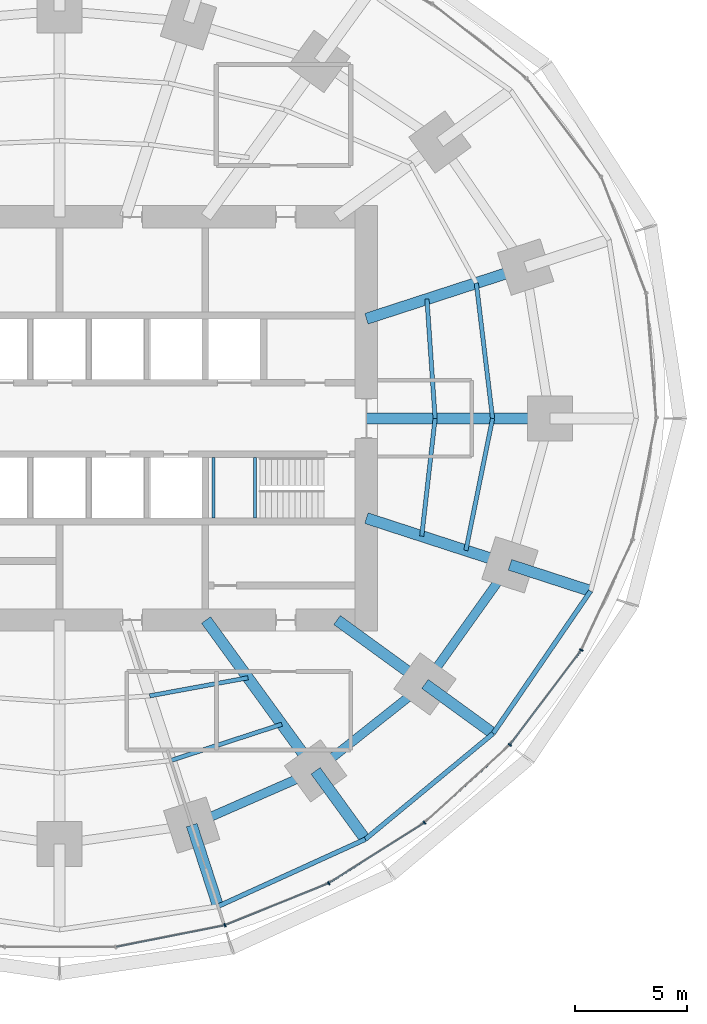
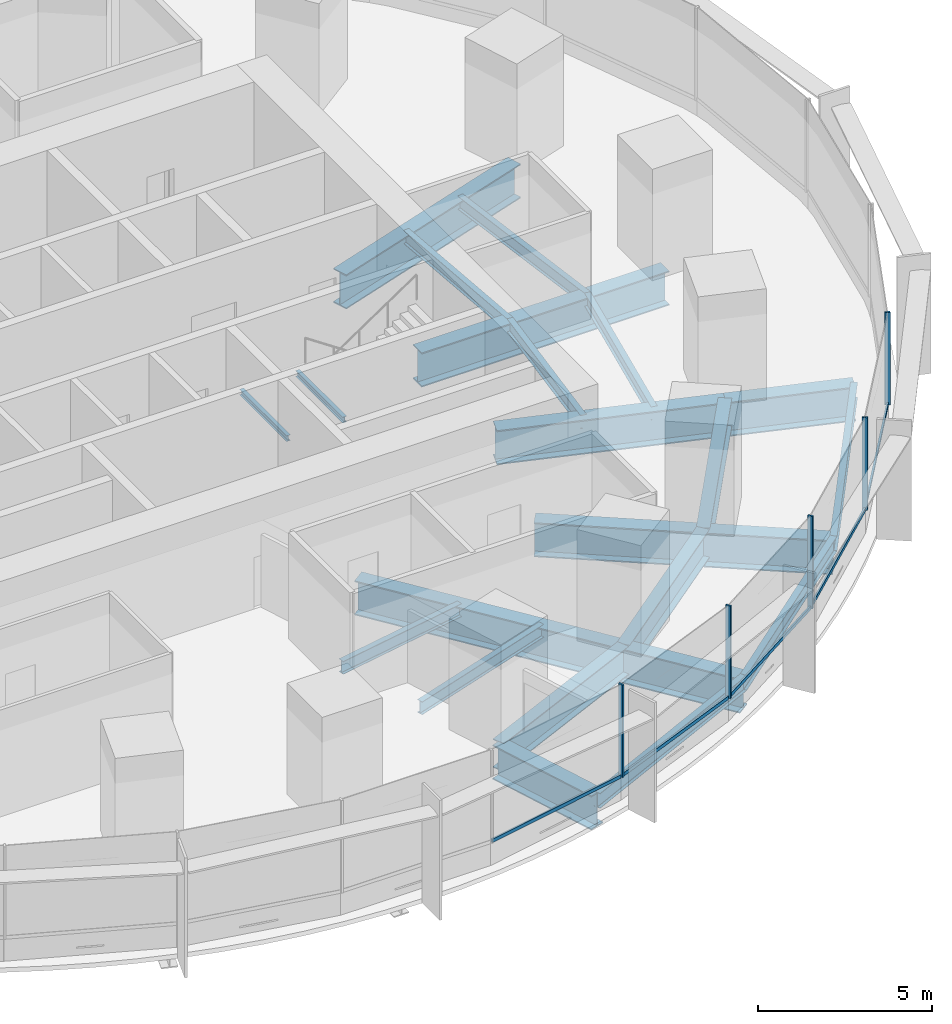
# One storey, part 5 of 15: 23 beams, 10 members, 2 elements without a shape of their own.
"""IFC4 building model written with IfcOpenShell, lengths in metres."""

from ifc_helpers import new_model, si_unit, direction, frame, origin, origin_2d, place, context, subcontext, project, spatial, rectangle, i_section, extrude, material, material_profile, profile_set, type_object, element, aggregate, save


model = new_model("IFC4")

# Units and contexts
model_context = context("Model", 3, precision=1e-05, world=origin(), true_north=direction((0.0, 1.0)))
body_context = subcontext(model_context, "Body", "Model", "MODEL_VIEW")
ifc_project = project(units=[si_unit("LENGTHUNIT", "METRE"), si_unit("AREAUNIT", "SQUARE_METRE"), si_unit("VOLUMEUNIT", "CUBIC_METRE"), si_unit("PLANEANGLEUNIT", "RADIAN"), si_unit("MASSUNIT", "GRAM", prefix="KILO")], contexts=[model_context])

# Site, building, storey
site_placement = place(None, origin())
site = spatial("IfcSite", under=ifc_project, at=site_placement, CompositionType="ELEMENT")
building_placement = place(site_placement, origin())
building = spatial("IfcBuilding", under=site, at=building_placement, Name="Marramba Exchange Tower", CompositionType="ELEMENT")
storey_placement = place(building_placement, frame((0.0, 0.0, 28.0)))
storey = spatial("IfcBuildingStorey", under=building, at=storey_placement, Name="L06", CompositionType="ELEMENT", Elevation=28.0)

# Beams
ifc_material_1 = material(Name="Steel AS/NZS 3679.2 grade 300", Category="steel")
ifc_material_profile_1 = material_profile(ifc_material_1, i_section(OverallWidth=0.5, OverallDepth=1.199951171875, WebThickness=0.01611328125, FlangeThickness=0.0400390625, at=origin_2d()), Name="1200WB455")
ifc_profile_set_1 = profile_set([ifc_material_profile_1], Name="Steel AS/NZS 3679.2 grade 300")
beam_type_1 = type_object("IfcBeamType", Name="Cantilever girder 1200WB455", PredefinedType="BEAM", material=ifc_profile_set_1)
beam_1_placement = place(storey_placement, frame((5.899658203125, -18.156982421875, -0.760009765625), z_axis=(0.309009272901, -0.951059025119, 0.0), x_axis=(0.951059025119, 0.309009272901, 0.0)))
element("IfcBeam", 1, at=beam_1_placement, inside=storey, type_object=beam_type_1, Name="Cantilever girder L06 TC17", PredefinedType="BEAM", context=body_context, shape_type="SweptSolid", body=[
    extrude(i_section(OverallWidth=0.5, OverallDepth=1.199951171875, WebThickness=0.01611328125, FlangeThickness=0.0400390625, at=origin_2d()), origin(), (0.0, 0.0, 1.0), 3.809814453125),
])
beam_2_placement = place(storey_placement, frame((11.430419921875, -15.732666015625, -0.760009765625), z_axis=(0.587787232741, -0.809015555491, 0.0), x_axis=(0.809015555491, 0.587787232741, 0.0)))
element("IfcBeam", 2, at=beam_2_placement, inside=storey, type_object=beam_type_1, Name="Cantilever girder L06 TC18", PredefinedType="BEAM", context=body_context, shape_type="SweptSolid", body=[
    extrude(i_section(OverallWidth=0.5, OverallDepth=1.199951171875, WebThickness=0.01611328125, FlangeThickness=0.0400390625, at=origin_2d()), origin(), (0.0, 0.0, 1.0), 3.7763671875),
])
beam_3_placement = place(storey_placement, frame((16.3154296875, -11.853759765625, -0.760009765625), z_axis=(0.809008346081, -0.587797155463, 0.0), x_axis=(0.587797155463, 0.809008346081, 0.0)))
element("IfcBeam", 3, at=beam_3_placement, inside=storey, type_object=beam_type_1, Name="Cantilever girder L06 TC19", PredefinedType="BEAM", context=body_context, shape_type="SweptSolid", body=[
    extrude(i_section(OverallWidth=0.5, OverallDepth=1.199951171875, WebThickness=0.01611328125, FlangeThickness=0.0400390625, at=origin_2d()), origin(), (0.0, 0.0, 1.0), 3.76025390625),
])
beam_4_placement = place(storey_placement, frame((20.109375, -6.533935546875, -0.760009765625), z_axis=(0.951048759501, -0.309040866314, 0.0), x_axis=(0.309040866314, 0.951048759501, 0.0)))
element("IfcBeam", 4, at=beam_4_placement, inside=storey, type_object=beam_type_1, Name="Cantilever girder L06 TC20", PredefinedType="BEAM", context=body_context, shape_type="SweptSolid", body=[
    extrude(i_section(OverallWidth=0.5, OverallDepth=1.199951171875, WebThickness=0.01611328125, FlangeThickness=0.0400390625, at=origin_2d()), origin(), (0.0, 0.0, 1.0), 3.78564453125),
])
ifc_material_2 = material(Name="Steel AS/NZS 3679.1 grade 300", Category="steel")
ifc_material_profile_2 = material_profile(ifc_material_2, i_section(OverallWidth=0.18994140625, OverallDepth=0.4541015625, WebThickness=0.008544921875, FlangeThickness=0.0126953125, FilletRadius=0.011474609375, at=origin_2d()), Name="460UB67.1")
ifc_profile_set_2 = profile_set([ifc_material_profile_2], Name="Steel AS/NZS 3679.1 grade 300")
beam_type_2 = type_object("IfcBeamType", Name="Floor joist 460UB67.1", PredefinedType="JOIST", material=ifc_profile_set_2)
beam_5_placement = place(storey_placement, frame((16.7666015625, 0.0, -0.386962890625), z_axis=(-0.068096259546, 0.99767875563, 0.0), x_axis=(-0.99767875563, -0.068096259546, 0.0)))
element("IfcBeam", 5, at=beam_5_placement, inside=storey, type_object=beam_type_2, Name="Joist L06 bay 01 row 1", PredefinedType="JOIST", context=body_context, shape_type="SweptSolid", body=[
    extrude(i_section(OverallWidth=0.18994140625, OverallDepth=0.4541015625, WebThickness=0.008544921875, FlangeThickness=0.0126953125, FilletRadius=0.011474609375, at=origin_2d()), origin(), (0.0, 0.0, 1.0), 5.342041015625),
])
beam_6_placement = place(storey_placement, frame((19.333251953125, 0.0, -0.386962890625), z_axis=(-0.119523078538, 0.992831422597, 0.0), x_axis=(-0.992831422597, -0.119523078538, 0.0)))
element("IfcBeam", 6, at=beam_6_placement, inside=storey, type_object=beam_type_2, Name="Joist L06 bay 01 row 2", PredefinedType="JOIST", context=body_context, shape_type="SweptSolid", body=[
    extrude(i_section(OverallWidth=0.18994140625, OverallDepth=0.4541015625, WebThickness=0.008544921875, FlangeThickness=0.0126953125, FilletRadius=0.011474609375, at=origin_2d()), origin(), (0.0, 0.0, 1.0), 6.089111328125),
])
beam_7_placement = place(storey_placement, frame((4.0244140625, -12.3857421875, -0.386962890625), z_axis=(0.983455754421, 0.181148500119, 0.0), x_axis=(-0.181148500119, 0.983455754421, 0.0)))
element("IfcBeam", 7, at=beam_7_placement, inside=storey, type_object=beam_type_2, Name="Joist L06 bay 17 row 1", PredefinedType="JOIST", context=body_context, shape_type="SweptSolid", body=[
    extrude(i_section(OverallWidth=0.18994140625, OverallDepth=0.4541015625, WebThickness=0.008544921875, FlangeThickness=0.0126953125, FilletRadius=0.011474609375, at=origin_2d()), origin(), (0.0, 0.0, 1.0), 4.4609375),
])
beam_8_placement = place(storey_placement, frame((4.9619140625, -15.271484375, -0.386962890625), z_axis=(0.950764024931, 0.309915744834, 0.0), x_axis=(-0.309915744834, 0.950764024931, 0.0)))
element("IfcBeam", 8, at=beam_8_placement, inside=storey, type_object=beam_type_2, Name="Joist L06 bay 17 row 2", PredefinedType="JOIST", context=body_context, shape_type="SweptSolid", body=[
    extrude(i_section(OverallWidth=0.18994140625, OverallDepth=0.4541015625, WebThickness=0.008544921875, FlangeThickness=0.0126953125, FilletRadius=0.011474609375, at=origin_2d()), origin(), (0.0, 0.0, 1.0), 5.2158203125),
])
beam_9_placement = place(storey_placement, frame((16.169677734375, -5.25390625, -0.386962890625), z_axis=(0.112888968594, 0.993607609054, 0.0), x_axis=(-0.993607609054, 0.112888968594, 0.0)))
element("IfcBeam", 9, at=beam_9_placement, inside=storey, type_object=beam_type_2, Name="Joist L06 bay 20 row 1", PredefinedType="JOIST", context=body_context, shape_type="SweptSolid", body=[
    extrude(i_section(OverallWidth=0.18994140625, OverallDepth=0.4541015625, WebThickness=0.008544921875, FlangeThickness=0.0126953125, FilletRadius=0.011474609375, at=origin_2d()), origin(), (0.0, 0.0, 1.0), 5.28759765625),
])
beam_10_placement = place(storey_placement, frame((18.1396484375, -5.893798828125, -0.386962890625), z_axis=(0.198489047047, 0.980103105904, 0.0), x_axis=(-0.980103105904, 0.198489047047, 0.0)))
element("IfcBeam", 10, at=beam_10_placement, inside=storey, type_object=beam_type_2, Name="Joist L06 bay 20 row 2", PredefinedType="JOIST", context=body_context, shape_type="SweptSolid", body=[
    extrude(i_section(OverallWidth=0.18994140625, OverallDepth=0.4541015625, WebThickness=0.008544921875, FlangeThickness=0.0126953125, FilletRadius=0.011474609375, at=origin_2d()), origin(), (0.0, 0.0, 1.0), 6.013427734375),
])
ifc_material_profile_3 = material_profile(ifc_material_1, i_section(OverallWidth=0.5, OverallDepth=1.199951171875, WebThickness=0.01611328125, FlangeThickness=0.0400390625, at=origin_2d()), Name="1200WB455")
ifc_profile_set_3 = profile_set([ifc_material_profile_3], Name="Steel AS/NZS 3679.2 grade 300")
beam_type_3 = type_object("IfcBeamType", Name="Radial girder 1200WB455", PredefinedType="BEAM", material=ifc_profile_set_3)
beam_11_placement = place(storey_placement, frame((13.699951171875, 0.0, -0.760009765625), z_axis=(1.0, 0.0, 0.0), x_axis=(0.0, 1.0, 0.0)))
element("IfcBeam", 11, at=beam_11_placement, inside=storey, type_object=beam_type_3, Name="Radial girder L06 TC01", PredefinedType="BEAM", context=body_context, shape_type="SweptSolid", body=[
    extrude(i_section(OverallWidth=0.5, OverallDepth=1.199951171875, WebThickness=0.01611328125, FlangeThickness=0.0400390625, at=origin_2d()), origin(), (0.0, 0.0, 1.0), 8.199951171875),
])
beam_12_placement = place(storey_placement, frame((13.699951171875, 4.451416015625, -0.760009765625), z_axis=(0.951059990189, 0.309006302624, 0.0), x_axis=(-0.309006302624, 0.951059990189, 0.0)))
element("IfcBeam", 12, at=beam_12_placement, inside=storey, type_object=beam_type_3, Name="Radial girder L06 TC02", PredefinedType="BEAM", context=body_context, shape_type="SweptSolid", body=[
    extrude(i_section(OverallWidth=0.5, OverallDepth=1.199951171875, WebThickness=0.01611328125, FlangeThickness=0.0400390625, at=origin_2d()), origin(), (0.0, 0.0, 1.0), 7.47412109375),
])
beam_13_placement = place(storey_placement, frame((6.538818359375, -9.0, -0.760009765625), z_axis=(0.587787877172, -0.809015087282, 0.0), x_axis=(0.809015087282, 0.587787877172, 0.0)))
element("IfcBeam", 13, at=beam_13_placement, inside=storey, type_object=beam_type_3, Name="Radial girder L06 TC18", PredefinedType="BEAM", context=body_context, shape_type="SweptSolid", body=[
    extrude(i_section(OverallWidth=0.5, OverallDepth=1.199951171875, WebThickness=0.01611328125, FlangeThickness=0.0400390625, at=origin_2d()), origin(), (0.0, 0.0, 1.0), 8.322021484375),
])
beam_14_placement = place(storey_placement, frame((12.387451171875, -9.0, -0.760009765625), z_axis=(0.809025189606, -0.58777397236, 0.0), x_axis=(0.58777397236, 0.809025189606, 0.0)))
element("IfcBeam", 14, at=beam_14_placement, inside=storey, type_object=beam_type_3, Name="Radial girder L06 TC19", PredefinedType="BEAM", context=body_context, shape_type="SweptSolid", body=[
    extrude(i_section(OverallWidth=0.5, OverallDepth=1.199951171875, WebThickness=0.01611328125, FlangeThickness=0.0400390625, at=origin_2d()), origin(), (0.0, 0.0, 1.0), 4.855224609375),
])
beam_15_placement = place(storey_placement, frame((13.699951171875, -4.451416015625, -0.760009765625), z_axis=(0.951057759669, -0.309013167637, 0.0), x_axis=(0.309013167637, 0.951057759669, 0.0)))
element("IfcBeam", 15, at=beam_15_placement, inside=storey, type_object=beam_type_3, Name="Radial girder L06 TC20", PredefinedType="BEAM", context=body_context, shape_type="SweptSolid", body=[
    extrude(i_section(OverallWidth=0.5, OverallDepth=1.199951171875, WebThickness=0.01611328125, FlangeThickness=0.0400390625, at=origin_2d()), origin(), (0.0, 0.0, 1.0), 6.7392578125),
])
ifc_material_profile_4 = material_profile(ifc_material_1, i_section(OverallWidth=0.39990234375, OverallDepth=1.0, WebThickness=0.01611328125, FlangeThickness=0.031982421875, at=origin_2d()), Name="1000WB322")
ifc_profile_set_4 = profile_set([ifc_material_profile_4], Name="Steel AS/NZS 3679.2 grade 300")
beam_type_4 = type_object("IfcBeamType", Name="Ring beam 1000WB322", PredefinedType="SPANDREL", material=ifc_profile_set_4)
beam_16_placement = place(storey_placement, frame((5.899658203125, -18.156982421875, -0.659912109375), z_axis=(0.915876892158, 0.4014592363, 0.0), x_axis=(-0.4014592363, 0.915876892158, 0.0)))
element("IfcBeam", 16, at=beam_16_placement, inside=storey, type_object=beam_type_4, Name="Ring beam L06 TC17-TC18", PredefinedType="SPANDREL", context=body_context, shape_type="SweptSolid", body=[
    extrude(i_section(OverallWidth=0.39990234375, OverallDepth=1.0, WebThickness=0.01611328125, FlangeThickness=0.031982421875, at=origin_2d()), origin(), (0.0, 0.0, 1.0), 6.038818359375),
])
beam_17_placement = place(storey_placement, frame((11.430419921875, -15.732666015625, -0.659912109375), z_axis=(0.783139438128, 0.621846138887, 0.0), x_axis=(-0.621846138887, 0.783139438128, 0.0)))
element("IfcBeam", 17, at=beam_17_placement, inside=storey, type_object=beam_type_4, Name="Ring beam L06 TC18-TC19", PredefinedType="SPANDREL", context=body_context, shape_type="SweptSolid", body=[
    extrude(i_section(OverallWidth=0.39990234375, OverallDepth=1.0, WebThickness=0.01611328125, FlangeThickness=0.031982421875, at=origin_2d()), origin(), (0.0, 0.0, 1.0), 6.23779296875),
])
beam_18_placement = place(storey_placement, frame((16.3154296875, -11.853759765625, -0.659912109375), z_axis=(0.580637181111, 0.814162430914, 0.0), x_axis=(-0.814162430914, 0.580637181111, 0.0)))
element("IfcBeam", 18, at=beam_18_placement, inside=storey, type_object=beam_type_4, Name="Ring beam L06 TC19-TC20", PredefinedType="SPANDREL", context=body_context, shape_type="SweptSolid", body=[
    extrude(i_section(OverallWidth=0.39990234375, OverallDepth=1.0, WebThickness=0.01611328125, FlangeThickness=0.031982421875, at=origin_2d()), origin(), (0.0, 0.0, 1.0), 6.5341796875),
])
ifc_material_profile_5 = material_profile(ifc_material_2, i_section(OverallWidth=0.208984375, OverallDepth=0.528076171875, WebThickness=0.009521484375, FlangeThickness=0.01318359375, FilletRadius=0.013916015625, at=origin_2d()), Name="530UB82.0")
ifc_profile_set_5 = profile_set([ifc_material_profile_5], Name="Steel AS/NZS 3679.1 grade 300")
beam_type_5 = type_object("IfcBeamType", Name="Slab edge beam 530UB82.0", PredefinedType="SPANDREL", material=ifc_profile_set_5)
beam_19_placement = place(storey_placement, frame((7.076904296875, -21.7802734375, -0.424072265625), z_axis=(0.910126690081, 0.414330071324, 0.0), x_axis=(-0.414330071324, 0.910126690081, 0.0)))
element("IfcBeam", 19, at=beam_19_placement, inside=storey, type_object=beam_type_5, Name="Slab edge beam L06 TC17-TC18", PredefinedType="SPANDREL", context=body_context, shape_type="SweptSolid", body=[
    extrude(i_section(OverallWidth=0.208984375, OverallDepth=0.528076171875, WebThickness=0.009521484375, FlangeThickness=0.01318359375, FilletRadius=0.013916015625, at=origin_2d()), origin(), (0.0, 0.0, 1.0), 7.222412109375),
])
beam_20_placement = place(storey_placement, frame((13.650146484375, -18.787841796875, -0.424072265625), z_axis=(0.770353575372, 0.637616945283, 0.0), x_axis=(-0.637616945283, 0.770353575372, 0.0)))
element("IfcBeam", 20, at=beam_20_placement, inside=storey, type_object=beam_type_5, Name="Slab edge beam L06 TC18-TC19", PredefinedType="SPANDREL", context=body_context, shape_type="SweptSolid", body=[
    extrude(i_section(OverallWidth=0.208984375, OverallDepth=0.528076171875, WebThickness=0.009521484375, FlangeThickness=0.01318359375, FilletRadius=0.013916015625, at=origin_2d()), origin(), (0.0, 0.0, 1.0), 7.40869140625),
])
beam_21_placement = place(storey_placement, frame((19.357421875, -14.06396484375, -0.424072265625), z_axis=(0.564740697285, 0.82526840775, 0.0), x_axis=(-0.82526840775, 0.564740697285, 0.0)))
element("IfcBeam", 21, at=beam_21_placement, inside=storey, type_object=beam_type_5, Name="Slab edge beam L06 TC19-TC20", PredefinedType="SPANDREL", context=body_context, shape_type="SweptSolid", body=[
    extrude(i_section(OverallWidth=0.208984375, OverallDepth=0.528076171875, WebThickness=0.009521484375, FlangeThickness=0.01318359375, FilletRadius=0.013916015625, at=origin_2d()), origin(), (0.0, 0.0, 1.0), 7.706787109375),
])
ifc_material_profile_6 = material_profile(ifc_material_2, i_section(OverallWidth=0.133056640625, OverallDepth=0.202880859375, WebThickness=0.005859375, FlangeThickness=0.0078125, FilletRadius=0.0087890625, at=origin_2d()), Name="200UB25.4")
ifc_profile_set_6 = profile_set([ifc_material_profile_6], Name="Steel AS/NZS 3679.1 grade 300")
beam_type_6 = type_object("IfcBeamType", Name="Stair landing beam 200UB25.4", PredefinedType="BEAM", material=ifc_profile_set_6)
for number, where, z_axis, x_axis, name in (
    (22, (6.866455078125, -4.449951171875, 1.798583984375), (0.0, 1.0, 0.0), (-1.0, 0.0, 0.0), "Stair landing beam SLB1 ST2 L06 1"),
    (23, (8.723388671875, -4.449951171875, 1.798583984375), (0.0, 1.0, 0.0), (-1.0, 0.0, 0.0), "Stair landing beam SLB1 ST2 L06 2"),
):
    element("IfcBeam", number, at=place(storey_placement, frame(where, z_axis=z_axis, x_axis=x_axis)), inside=storey, type_object=beam_type_6, Name=name, PredefinedType="BEAM", context=body_context, shape_type="SweptSolid", body=[
        extrude(i_section(OverallWidth=0.133056640625, OverallDepth=0.202880859375, WebThickness=0.005859375, FlangeThickness=0.0078125, FilletRadius=0.0087890625, at=origin_2d()), origin(), (0.0, 0.0, 1.0), 2.699951171875),
    ])

# Curtain wall, member
ifc_material_3 = material(Name="Aluminium framing, bronze anodised", Category="aluminium")
curtain_wall_type = type_object("IfcCurtainWallType", Name="Trading floor ribbon curtain wall", PredefinedType="USERDEFINED", material=ifc_material_3)
curtain_wall_1_placement = place(storey_placement, origin())
curtain_wall_1 = element("IfcCurtainWall", 24, at=curtain_wall_1_placement, inside=storey, type_object=curtain_wall_type, Name="Curtain wall CW3 L06 F21-F25", ObjectType="RIBBON CURTAIN WALL", PredefinedType="USERDEFINED")
ifc_material_4 = material(Name="Aluminium mullion, bronze anodised", Category="aluminium")
ifc_material_profile_7 = material_profile(ifc_material_4, rectangle(XDim=0.159912109375, YDim=0.06005859375, at=origin_2d()), Name="CW3 mullion 60x160")
ifc_profile_set_7 = profile_set([ifc_material_profile_7], Name="Aluminium mullion, bronze anodised")
member_type_1 = type_object("IfcMemberType", Name="Trading floor ribbon curtain wall mullion", PredefinedType="MULLION", material=ifc_profile_set_7)
member_1_placement = place(storey_placement, frame((7.3828125, -22.625, 0.800048828125), z_axis=(0.0, 0.0, 1.0), x_axis=(-0.374218219325, 0.927340673283, 0.0)))
member_1 = element("IfcMember", 25, at=member_1_placement, type_object=member_type_1, Name="CW3 mullion 1", PredefinedType="MULLION", context=body_context, shape_type="SweptSolid", body=[
    extrude(rectangle(XDim=0.159912109375, YDim=0.06005859375, at=origin_2d()), origin(), (0.0, 0.0, 1.0), 3.239990234375),
])

# Curtain wall, members
curtain_wall_2_placement = place(storey_placement, origin())
curtain_wall_2 = element("IfcCurtainWall", 26, at=curtain_wall_2_placement, inside=storey, type_object=curtain_wall_type, Name="Curtain wall CW3 L06 F26-F30", ObjectType="RIBBON CURTAIN WALL", PredefinedType="USERDEFINED")
member_2_placement = place(storey_placement, frame((12.0146484375, -20.75, 0.800048828125), z_axis=(0.0, 0.0, 1.0), x_axis=(-0.533514646612, 0.845790826298, 0.0)))
member_2 = element("IfcMember", 27, at=member_2_placement, type_object=member_type_1, Name="CW3 mullion 1", PredefinedType="MULLION", context=body_context, shape_type="SweptSolid", body=[
    extrude(rectangle(XDim=0.159912109375, YDim=0.06005859375, at=origin_2d()), origin(), (0.0, 0.0, 1.0), 3.239990234375),
])
member_3_placement = place(storey_placement, frame((16.2900390625, -18.047119140625, 0.800048828125), z_axis=(0.0, 0.0, 1.0), x_axis=(-0.673058133441, 0.739589581463, 0.0)))
member_3 = element("IfcMember", 28, at=member_3_placement, type_object=member_type_1, Name="CW3 mullion 1", PredefinedType="MULLION", context=body_context, shape_type="SweptSolid", body=[
    extrude(rectangle(XDim=0.159912109375, YDim=0.06005859375, at=origin_2d()), origin(), (0.0, 0.0, 1.0), 3.239990234375),
])
member_4_placement = place(storey_placement, frame((20.103515625, -14.569091796875, 0.800048828125), z_axis=(0.0, 0.0, 1.0), x_axis=(-0.797710591138, 0.603040473588, 0.0)))
member_4 = element("IfcMember", 29, at=member_4_placement, type_object=member_type_1, Name="CW3 mullion 1", PredefinedType="MULLION", context=body_context, shape_type="SweptSolid", body=[
    extrude(rectangle(XDim=0.159912109375, YDim=0.06005859375, at=origin_2d()), origin(), (0.0, 0.0, 1.0), 3.239990234375),
])
member_5_placement = place(storey_placement, frame((23.2939453125, -10.33837890625, 0.800048828125), z_axis=(0.0, 0.0, 1.0), x_axis=(-0.905906758768, 0.423477206492, 0.0)))
member_5 = element("IfcMember", 30, at=member_5_placement, type_object=member_type_1, Name="CW3 mullion 1", PredefinedType="MULLION", context=body_context, shape_type="SweptSolid", body=[
    extrude(rectangle(XDim=0.159912109375, YDim=0.06005859375, at=origin_2d()), origin(), (0.0, 0.0, 1.0), 3.239990234375),
])

# Member
ifc_material_5 = material(Name="Aluminium transom, bronze anodised", Category="aluminium")
ifc_material_profile_8 = material_profile(ifc_material_5, rectangle(XDim=0.06005859375, YDim=0.1201171875, at=origin_2d()), Name="CW3 transom 60x120")
ifc_profile_set_8 = profile_set([ifc_material_profile_8], Name="Aluminium transom, bronze anodised")
member_type_2 = type_object("IfcMemberType", Name="Trading floor ribbon curtain wall transom", PredefinedType="USERDEFINED", material=ifc_profile_set_8)
member_6_placement = place(storey_placement, frame((2.539306640625, -23.58837890625, 0.830078125), z_axis=(0.981008707181, 0.193963698758, 0.0), x_axis=(-0.193963698758, 0.981008707181, 0.0)))
member_6 = element("IfcMember", 31, at=member_6_placement, type_object=member_type_2, Name="CW3 sill transom", ObjectType="TRANSOM", PredefinedType="USERDEFINED", context=body_context, shape_type="SweptSolid", body=[
    extrude(rectangle(XDim=0.06005859375, YDim=0.1201171875, at=origin_2d()), origin(), (0.0, 0.0, 1.0), 4.908935546875),
])

member_7_placement = place(storey_placement, frame((7.41064453125, -22.61376953125, 0.830078125), z_axis=(0.927340197166, 0.374219399176, 0.0), x_axis=(-0.374219399176, 0.927340197166, 0.0)))
member_7 = element("IfcMember", 32, at=member_7_placement, type_object=member_type_2, Name="CW3 sill transom", ObjectType="TRANSOM", PredefinedType="USERDEFINED", context=body_context, shape_type="SweptSolid", body=[
    extrude(rectangle(XDim=0.06005859375, YDim=0.1201171875, at=origin_2d()), origin(), (0.0, 0.0, 1.0), 4.937255859375),
])

aggregate(curtain_wall_1, [member_6, member_1, member_7])

member_8_placement = place(storey_placement, frame((12.0400390625, -20.734130859375, 0.830078125), z_axis=(0.845776602594, 0.533537195053, 0.0), x_axis=(-0.533537195053, 0.845776602594, 0.0)))
member_8 = element("IfcMember", 33, at=member_8_placement, type_object=member_type_2, Name="CW3 sill transom", ObjectType="TRANSOM", PredefinedType="USERDEFINED", context=body_context, shape_type="SweptSolid", body=[
    extrude(rectangle(XDim=0.06005859375, YDim=0.1201171875, at=origin_2d()), origin(), (0.0, 0.0, 1.0), 4.998779296875),
])

member_9_placement = place(storey_placement, frame((16.312255859375, -18.02685546875, 0.830078125), z_axis=(0.739582688456, 0.673065707741, 0.0), x_axis=(-0.673065707741, 0.739582688456, 0.0)))
member_9 = element("IfcMember", 34, at=member_9_placement, type_object=member_type_2, Name="CW3 sill transom", ObjectType="TRANSOM", PredefinedType="USERDEFINED", context=body_context, shape_type="SweptSolid", body=[
    extrude(rectangle(XDim=0.06005859375, YDim=0.1201171875, at=origin_2d()), origin(), (0.0, 0.0, 1.0), 5.101806640625),
])

member_10_placement = place(storey_placement, frame((20.12158203125, -14.545166015625, 0.830078125), z_axis=(0.603037409419, 0.797712907531, 0.0), x_axis=(-0.797712907531, 0.603037409419, 0.0)))
member_10 = element("IfcMember", 35, at=member_10_placement, type_object=member_type_2, Name="CW3 sill transom", ObjectType="TRANSOM", PredefinedType="USERDEFINED", context=body_context, shape_type="SweptSolid", body=[
    extrude(rectangle(XDim=0.06005859375, YDim=0.1201171875, at=origin_2d()), origin(), (0.0, 0.0, 1.0), 5.239501953125),
])

aggregate(curtain_wall_2, [member_2, member_8, member_3, member_9, member_4, member_10, member_5])

save(model, "model.ifc")
